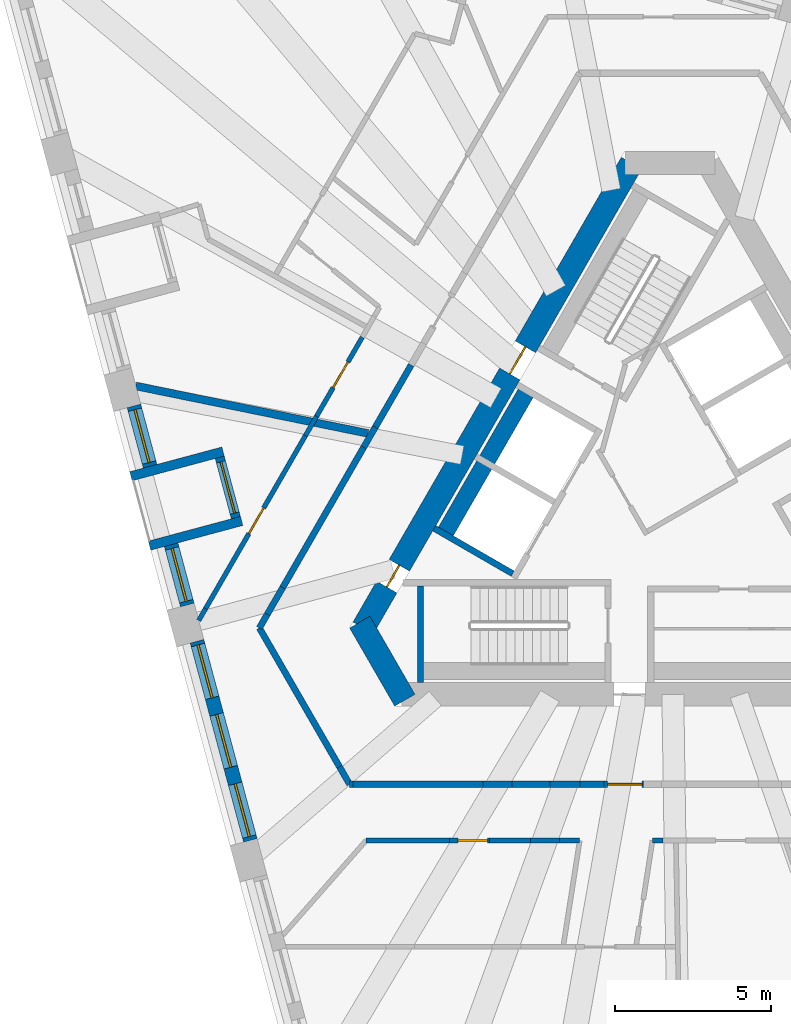
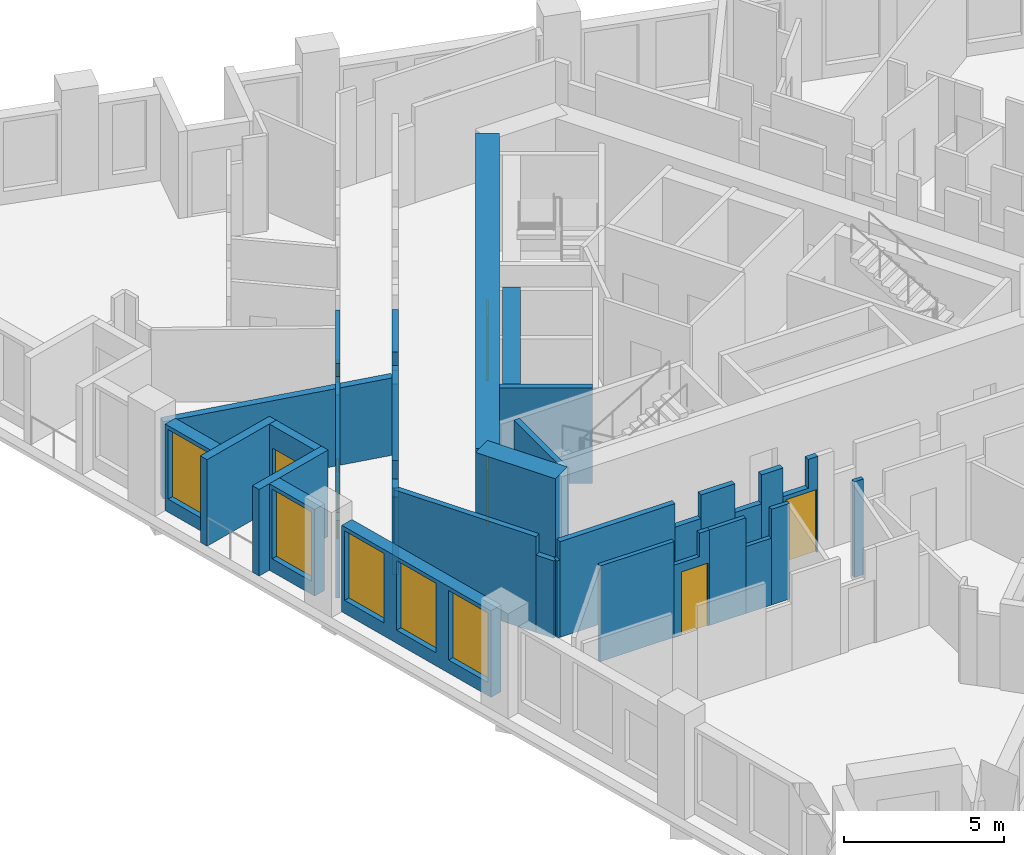
# One storey, part 3 of 13: 36 walls, 7 doors, 5 windows, 12 openings.
"""IFC4 building model written with IfcOpenShell, lengths in metres."""

from ifc_helpers import new_model, si_unit, direction, frame, frame_2d, origin, place, context, subcontext, project, spatial, polyline, rectangle, outline, extrude, material, layer, layer_set, type_object, element, fill, save


model = new_model("IFC4")

# Units and contexts
model_context = context("Model", 3, precision=1e-05, world=origin(), true_north=direction((0.0, 1.0)))
body_context = subcontext(model_context, "Body", "Model", "MODEL_VIEW")
ifc_project = project(units=[si_unit("LENGTHUNIT", "METRE"), si_unit("AREAUNIT", "SQUARE_METRE"), si_unit("VOLUMEUNIT", "CUBIC_METRE"), si_unit("PLANEANGLEUNIT", "RADIAN"), si_unit("MASSUNIT", "GRAM", prefix="KILO")], contexts=[model_context])

# Site, building, storey
site_placement = place(None, origin())
site = spatial("IfcSite", under=ifc_project, at=site_placement, CompositionType="ELEMENT")
building_placement = place(site_placement, origin())
building = spatial("IfcBuilding", under=site, at=building_placement, Name="Tramontana Tower", CompositionType="ELEMENT")
storey_placement = place(building_placement, frame((0.0, 0.0, 228.0)))
storey = spatial("IfcBuildingStorey", under=building, at=storey_placement, Name="L53", CompositionType="ELEMENT", Elevation=228.0)

# Wall, openings, doors
ifc_material_1 = material(Name="Concrete 70 MPa", Category="concrete")
ifc_layer_1 = layer(ifc_material_1, 0.75)
ifc_layer_set_1 = layer_set([ifc_layer_1], Name="Core wall 750 70 MPa")
wall_type_1 = type_object("IfcWallType", Name="Core wall 750 70 MPa", PredefinedType="SHEAR", material=ifc_layer_set_1)
wall_1_placement = place(storey_placement, frame((-1.226806640625, 10.625, 0.0), z_axis=(0.0, 0.0, 1.0), x_axis=(-0.500002161919, -0.866024155596, 0.0)))
wall_1 = element("IfcWall", 1, at=wall_1_placement, inside=storey, type_object=wall_type_1, Name="Core wall C1 L53", PredefinedType="SHEAR", context=body_context, shape_type="SweptSolid", body=[
    extrude(rectangle(XDim=17.17626953125, YDim=0.75, at=frame_2d((8.588134765625, 0.0))), origin(), (0.0, 0.0, 1.0), 4.0),
])
opening_1_placement = place(wall_1_placement, frame((6.79296875, 0.0, 0.0)))
opening_1 = element("IfcOpeningElement", 2, at=opening_1_placement, cuts=wall_1, Name="Opening RG1", PredefinedType="OPENING", context=body_context, shape_type="SweptSolid", body=[
    extrude(rectangle(XDim=1.0, YDim=2.39990234375, at=frame_2d((0.5, 1.199951171875))), frame((0.0, 0.385009765625, 0.0), z_axis=(0.0, -1.0, 0.0), x_axis=(1.0, 0.0, 0.0)), (0.0, 0.0, 1.0), 0.77001953125),
])
opening_2_placement = place(wall_1_placement, frame((14.863525390625, 0.0, 0.0)))
opening_2 = element("IfcOpeningElement", 3, at=opening_2_placement, cuts=wall_1, Name="Opening PD1", PredefinedType="OPENING", context=body_context, shape_type="SweptSolid", body=[
    extrude(rectangle(XDim=0.800048828125, YDim=2.10009765625, at=frame_2d((0.39990234375, 1.050048828125))), frame((0.0, 0.385009765625, 0.0), z_axis=(0.0, -1.0, 0.0), x_axis=(1.0, 0.0, 0.0)), (0.0, 0.0, 1.0), 0.77001953125),
])
ifc_material_2 = material(Name="Painted steel", Category="steel")
door_type_1 = type_object("IfcDoorType", Name="CUPBOARD DOOR 800", OperationType="SINGLE_SWING_LEFT", PredefinedType="DOOR", material=ifc_material_2)
door_1_placement = place(opening_2_placement, origin())
door_1 = element("IfcDoor", 4, at=door_1_placement, inside=storey, type_object=door_type_1, Name="Door PD1", OperationType="SINGLE_SWING_LEFT", OverallHeight=2.10009765625, OverallWidth=0.800048828125, PredefinedType="DOOR", context=body_context, shape_type="SweptSolid", body=[
    extrude(rectangle(XDim=0.800048828125, YDim=2.10009765625, at=frame_2d((0.39990234375, 1.050048828125))), frame((0.0, 0.02490234375, 0.0), z_axis=(0.0, -1.0, 0.0), x_axis=(1.0, 0.0, 0.0)), (0.0, 0.0, 1.0), 0.050048828125),
])
fill(opening_2, door_1)
ifc_material_3 = material(Name="Painted steel", Category="steel")
door_type_2 = type_object("IfcDoorType", Name="RING DOOR 1000", OperationType="SINGLE_SWING_LEFT", PredefinedType="DOOR", material=ifc_material_3)
door_2_placement = place(opening_1_placement, origin())
door_2 = element("IfcDoor", 5, at=door_2_placement, inside=storey, type_object=door_type_2, Name="Door RG1", OperationType="SINGLE_SWING_RIGHT", OverallHeight=2.39990234375, OverallWidth=1.0, PredefinedType="DOOR", context=body_context, shape_type="SweptSolid", body=[
    extrude(rectangle(XDim=1.0, YDim=2.39990234375, at=frame_2d((0.5, 1.199951171875))), frame((0.0, 0.02490234375, 0.0), z_axis=(0.0, -1.0, 0.0), x_axis=(1.0, 0.0, 0.0)), (0.0, 0.0, 1.0), 0.050048828125),
])
fill(opening_1, door_2)

# Wall
wall_2_placement = place(storey_placement, frame((-9.923095703125, -4.0625, 0.0), z_axis=(0.0, 0.0, 1.0), x_axis=(0.499995765644, -0.866027848477, 0.0)))
element("IfcWall", 6, at=wall_2_placement, inside=storey, type_object=wall_type_1, Name="Core wall C2 L53", PredefinedType="SHEAR", context=body_context, shape_type="SweptSolid", body=[
    extrude(rectangle(XDim=2.88671875, YDim=0.75, at=frame_2d((1.443359375, 0.0))), origin(), (0.0, 0.0, 1.0), 4.0),
])

# Wall, opening, door
ifc_material_4 = material(Name="Blockwork", Category="masonry")
ifc_layer_2 = layer(ifc_material_4, 0.199951171875)
ifc_layer_set_2 = layer_set([ifc_layer_2], Name="ENTRY WALL 200")
wall_type_2 = type_object("IfcWallType", Name="ENTRY WALL 200", PredefinedType="SOLIDWALL", material=ifc_layer_set_2)
wall_3_placement = place(storey_placement, frame((-2.102783203125, -9.25, 0.0), z_axis=(0.0, 0.0, 1.0), x_axis=(1.0, 0.0, 0.0)))
wall_3 = element("IfcWall", 7, at=wall_3_placement, inside=storey, type_object=wall_type_2, Name="Wall v52-ew2-7", PredefinedType="SOLIDWALL", context=body_context, shape_type="SweptSolid", body=[
    extrude(outline(polyline([(0.0, 0.0), (1.261474609375, 0.0), (1.261474609375, 3.64990234375), (0.9140625, 3.64990234375), (0.9140625, 2.550048828125), (0.0, 2.550048828125), (0.0, 0.0)])), frame((0.0, 0.10009765625, 0.0), z_axis=(0.0, -1.0, 0.0), x_axis=(1.0, 0.0, 0.0)), (0.0, 0.0, 1.0), 0.199951171875),
])
opening_3_placement = place(wall_3_placement, frame((0.111572265625, 0.0, 0.0)))
opening_3 = element("IfcOpeningElement", 8, at=opening_3_placement, cuts=wall_3, Name="Opening B5C-18", PredefinedType="OPENING", context=body_context, shape_type="SweptSolid", body=[
    extrude(rectangle(XDim=1.10009765625, YDim=2.39990234375, at=frame_2d((0.550048828125, 1.199951171875))), frame((0.0, 0.10986328125, 0.0), z_axis=(0.0, -1.0, 0.0), x_axis=(1.0, 0.0, 0.0)), (0.0, 0.0, 1.0), 0.219970703125),
])
ifc_material_5 = material(Name="Painted timber", Category="wood")
door_type_3 = type_object("IfcDoorType", Name="DOOR ENTRY 1100", OperationType="SINGLE_SWING_LEFT", PredefinedType="DOOR", material=ifc_material_5)
door_3_placement = place(opening_3_placement, origin())
door_3 = element("IfcDoor", 9, at=door_3_placement, inside=storey, type_object=door_type_3, Name="Door B5C-18", OperationType="SINGLE_SWING_RIGHT", OverallHeight=2.39990234375, OverallWidth=1.10009765625, PredefinedType="DOOR", context=body_context, shape_type="SweptSolid", body=[
    extrude(rectangle(XDim=1.10009765625, YDim=2.39990234375, at=frame_2d((0.550048828125, 1.199951171875))), frame((0.0, 0.02490234375, 0.0), z_axis=(0.0, -1.0, 0.0), x_axis=(1.0, 0.0, 0.0)), (0.0, 0.0, 1.0), 0.050048828125),
])
fill(opening_3, door_3)

# Walls
wall_4_placement = place(storey_placement, frame((-2.102783203125, -9.25, 0.0), z_axis=(0.0, 0.0, 1.0), x_axis=(-1.0, 0.0, 0.0)))
element("IfcWall", 10, at=wall_4_placement, inside=storey, type_object=wall_type_2, Name="Wall v52-ew2-8", PredefinedType="SOLIDWALL", context=body_context, shape_type="SweptSolid", body=[
    extrude(rectangle(XDim=0.76904296875, YDim=0.199951171875, at=frame_2d((0.384521484375, 0.0))), origin(), (0.0, 0.0, 1.0), 3.64990234375),
])
wall_5_placement = place(storey_placement, frame((-2.871826171875, -9.25, 0.0), z_axis=(0.0, 0.0, 1.0), x_axis=(-1.0, 0.0, 0.0)))
element("IfcWall", 11, at=wall_5_placement, inside=storey, type_object=wall_type_2, Name="Wall v52-ew2-9", PredefinedType="SOLIDWALL", context=body_context, shape_type="SweptSolid", body=[
    extrude(rectangle(XDim=0.957275390625, YDim=0.199951171875, at=frame_2d((0.478515625, 0.0))), origin(), (0.0, 0.0, 1.0), 2.550048828125),
])
wall_6_placement = place(storey_placement, frame((-3.8291015625, -9.25, 0.0), z_axis=(0.0, 0.0, 1.0), x_axis=(-1.0, 0.0, 0.0)))
element("IfcWall", 12, at=wall_6_placement, inside=storey, type_object=wall_type_2, Name="Wall v52-ew2-10", PredefinedType="SOLIDWALL", context=body_context, shape_type="SweptSolid", body=[
    extrude(rectangle(XDim=1.22705078125, YDim=0.199951171875, at=frame_2d((0.613525390625, 0.0))), origin(), (0.0, 0.0, 1.0), 3.64990234375),
])
wall_7_placement = place(storey_placement, frame((-5.05615234375, -9.25, 0.0), z_axis=(0.0, 0.0, 1.0), x_axis=(-1.0, 0.0, 0.0)))
element("IfcWall", 13, at=wall_7_placement, inside=storey, type_object=wall_type_2, Name="Wall v52-ew2-11", PredefinedType="SOLIDWALL", context=body_context, shape_type="SweptSolid", body=[
    extrude(rectangle(XDim=0.931640625, YDim=0.199951171875, at=frame_2d((0.4658203125, 0.0))), origin(), (0.0, 0.0, 1.0), 2.75),
])
wall_8_placement = place(storey_placement, frame((-5.98779296875, -9.25, 0.0), z_axis=(0.0, 0.0, 1.0), x_axis=(-1.0, 0.0, 0.0)))
element("IfcWall", 14, at=wall_8_placement, inside=storey, type_object=wall_type_2, Name="Wall v52-ew2-12", PredefinedType="SOLIDWALL", context=body_context, shape_type="SweptSolid", body=[
    extrude(rectangle(XDim=4.1552734375, YDim=0.199951171875, at=frame_2d((2.07763671875, 0.0))), origin(), (0.0, 0.0, 1.0), 3.64990234375),
])
wall_9_placement = place(storey_placement, frame((-10.14306640625, -9.25, 0.0), z_axis=(0.0, 0.0, 1.0), x_axis=(-1.0, 0.0, 0.0)))
element("IfcWall", 15, at=wall_9_placement, inside=storey, type_object=wall_type_2, Name="Wall v52-ew2-13", PredefinedType="SOLIDWALL", context=body_context, shape_type="SweptSolid", body=[
    extrude(rectangle(XDim=0.10498046875, YDim=0.199951171875, at=frame_2d((0.052490234375, 0.0))), origin(), (0.0, 0.0, 1.0), 2.949951171875),
])
wall_10_placement = place(storey_placement, frame((-10.248046875, -9.25, 0.0), z_axis=(0.0, 0.0, 1.0), x_axis=(-0.499733411443, 0.86617926406, 0.0)))
element("IfcWall", 16, at=wall_10_placement, inside=storey, type_object=wall_type_2, Name="Wall v52-ew3-0", PredefinedType="SOLIDWALL", context=body_context, shape_type="SweptSolid", body=[
    extrude(rectangle(XDim=0.642822265625, YDim=0.199951171875, at=frame_2d((0.3212890625, 0.0))), origin(), (0.0, 0.0, 1.0), 2.949951171875),
])
wall_11_placement = place(storey_placement, frame((-10.5693359375, -8.693115234375, 0.0), z_axis=(0.0, 0.0, 1.0), x_axis=(-0.500028638513, 0.8660088687, 0.0)))
element("IfcWall", 17, at=wall_11_placement, inside=storey, type_object=wall_type_2, Name="Wall v52-ew3-1", PredefinedType="SOLIDWALL", context=body_context, shape_type="SweptSolid", body=[
    extrude(rectangle(XDim=5.130615234375, YDim=0.199951171875, at=frame_2d((2.5654296875, 0.0))), origin(), (0.0, 0.0, 1.0), 3.64990234375),
])
wall_12_placement = place(storey_placement, frame((-13.134765625, -4.25, 0.0), z_axis=(0.0, 0.0, 1.0), x_axis=(0.500002592159, 0.866023907196, 0.0)))
element("IfcWall", 18, at=wall_12_placement, inside=storey, type_object=wall_type_2, Name="Wall v52-ew4-0", PredefinedType="SOLIDWALL", context=body_context, shape_type="SweptSolid", body=[
    extrude(rectangle(XDim=0.5029296875, YDim=0.199951171875, at=frame_2d((0.25146484375, 0.0))), origin(), (0.0, 0.0, 1.0), 3.64990234375),
])
wall_13_placement = place(storey_placement, frame((-12.88330078125, -3.814453125, 0.0), z_axis=(0.0, 0.0, 1.0), x_axis=(0.500063959222, 0.865988473761, 0.0)))
element("IfcWall", 19, at=wall_13_placement, inside=storey, type_object=wall_type_2, Name="Wall v52-ew4-1", PredefinedType="SOLIDWALL", context=body_context, shape_type="SweptSolid", body=[
    extrude(rectangle(XDim=0.989990234375, YDim=0.199951171875, at=frame_2d((0.4951171875, 0.0))), origin(), (0.0, 0.0, 1.0), 2.949951171875),
])
wall_14_placement = place(storey_placement, frame((-12.38818359375, -2.95703125, 0.0), z_axis=(0.0, 0.0, 1.0), x_axis=(0.499990271856, 0.866031020258, 0.0)))
element("IfcWall", 20, at=wall_14_placement, inside=storey, type_object=wall_type_2, Name="Wall v52-ew4-2", PredefinedType="SOLIDWALL", context=body_context, shape_type="SweptSolid", body=[
    extrude(rectangle(XDim=5.181640625, YDim=0.199951171875, at=frame_2d((2.5908203125, 0.0))), origin(), (0.0, 0.0, 1.0), 3.64990234375),
])
wall_15_placement = place(storey_placement, frame((-9.79736328125, 1.530517578125, 0.0), z_axis=(0.0, 0.0, 1.0), x_axis=(0.499931655587, 0.866064858854, 0.0)))
element("IfcWall", 21, at=wall_15_placement, inside=storey, type_object=wall_type_2, Name="Wall v52-ew4-3", PredefinedType="SOLIDWALL", context=body_context, shape_type="SweptSolid", body=[
    extrude(rectangle(XDim=0.74072265625, YDim=0.199951171875, at=frame_2d((0.370361328125, 0.0))), origin(), (0.0, 0.0, 1.0), 2.949951171875),
])
wall_16_placement = place(storey_placement, frame((-9.427001953125, 2.172119140625, 0.0), z_axis=(0.0, 0.0, 1.0), x_axis=(0.500013761451, 0.866017458461, 0.0)))
element("IfcWall", 22, at=wall_16_placement, inside=storey, type_object=wall_type_2, Name="Wall v52-ew4-4", PredefinedType="SOLIDWALL", context=body_context, shape_type="SweptSolid", body=[
    extrude(rectangle(XDim=2.29736328125, YDim=0.199951171875, at=frame_2d((1.148681640625, 0.0))), origin(), (0.0, 0.0, 1.0), 3.64990234375),
])

# Wall, opening, window
ifc_material_6 = material(Name="Precast concrete 60 MPa", Category="concrete")
ifc_layer_3 = layer(ifc_material_6, 0.449951171875)
ifc_layer_set_3 = layer_set([ifc_layer_3], Name="Precast concrete 60 MPa, 450 mm")
wall_type_3 = type_object("IfcWallType", Name="EW1 Stone-faced precast wall 450", PredefinedType="SOLIDWALL", material=ifc_layer_set_3)
wall_17_placement = place(storey_placement, frame((-17.147705078125, 2.853271484375, 0.0), z_axis=(0.0, 0.0, 1.0), x_axis=(0.258803270362, -0.96593005298, 0.0)))
wall_17 = element("IfcWall", 23, at=wall_17_placement, inside=storey, type_object=wall_type_3, Name="External wall L53 face 0 bay 3", PredefinedType="SOLIDWALL", context=body_context, shape_type="SweptSolid", body=[
    extrude(rectangle(XDim=1.998046875, YDim=0.449951171875, at=frame_2d((0.9990234375, 0.0))), origin(), (0.0, 0.0, 1.0), 3.300048828125),
])
opening_4_placement = place(wall_17_placement, frame((0.1240234375, 0.0, 0.5)))
opening_4 = element("IfcOpeningElement", 24, at=opening_4_placement, cuts=wall_17, Name="Opening M2", PredefinedType="OPENING", context=body_context, shape_type="SweptSolid", body=[
    extrude(rectangle(XDim=1.75, YDim=2.64990234375, at=frame_2d((0.875, 1.324951171875))), frame((0.0, 0.23486328125, 0.0), z_axis=(0.0, -1.0, 0.0), x_axis=(1.0, 0.0, 0.0)), (0.0, 0.0, 1.0), 0.469970703125),
])
ifc_material_7 = material(Name="Aluminum frame, double glazing unit", Category="aluminium")
window_type = type_object("IfcWindowType", Name="M2 Window 1.75 x 2.65", PartitioningType="SINGLE_PANEL", PredefinedType="WINDOW", material=ifc_material_7)
window_1_placement = place(opening_4_placement, origin())
window_1 = element("IfcWindow", 25, at=window_1_placement, inside=storey, type_object=window_type, Name="Window M2 L53 face 0 module 7", OverallHeight=2.64990234375, OverallWidth=1.75, PartitioningType="SINGLE_PANEL", PredefinedType="WINDOW", context=body_context, shape_type="SweptSolid", body=[
    extrude(rectangle(XDim=1.75, YDim=2.64990234375, at=frame_2d((0.875, 1.324951171875))), frame((0.0, 0.030029296875, 0.0), z_axis=(0.0, -1.0, 0.0), x_axis=(1.0, 0.0, 0.0)), (0.0, 0.0, 1.0), 0.06005859375),
])
fill(opening_4, window_1)

wall_18_placement = place(storey_placement, frame((-15.958251953125, -1.586181640625, 0.0), z_axis=(0.0, 0.0, 1.0), x_axis=(0.258772727493, -0.965938235865, 0.0)))
wall_18 = element("IfcWall", 26, at=wall_18_placement, inside=storey, type_object=wall_type_3, Name="External wall L53 face 0 bay 3", PredefinedType="SOLIDWALL", context=body_context, shape_type="SweptSolid", body=[
    extrude(rectangle(XDim=1.998291015625, YDim=0.449951171875, at=frame_2d((0.9990234375, 0.0))), origin(), (0.0, 0.0, 1.0), 3.300048828125),
])
opening_5_placement = place(wall_18_placement, frame((0.1240234375, 0.0, 0.5)))
opening_5 = element("IfcOpeningElement", 27, at=opening_5_placement, cuts=wall_18, Name="Opening M2", PredefinedType="OPENING", context=body_context, shape_type="SweptSolid", body=[
    extrude(rectangle(XDim=1.75, YDim=2.64990234375, at=frame_2d((0.875, 1.324951171875))), frame((0.0, 0.23486328125, 0.0), z_axis=(0.0, -1.0, 0.0), x_axis=(1.0, 0.0, 0.0)), (0.0, 0.0, 1.0), 0.469970703125),
])
window_2_placement = place(opening_5_placement, origin())
window_2 = element("IfcWindow", 28, at=window_2_placement, inside=storey, type_object=window_type, Name="Window M2 L53 face 0 module 9", OverallHeight=2.64990234375, OverallWidth=1.75, PartitioningType="SINGLE_PANEL", PredefinedType="WINDOW", context=body_context, shape_type="SweptSolid", body=[
    extrude(rectangle(XDim=1.75, YDim=2.64990234375, at=frame_2d((0.875, 1.324951171875))), frame((0.0, 0.030029296875, 0.0), z_axis=(0.0, -1.0, 0.0), x_axis=(1.0, 0.0, 0.0)), (0.0, 0.0, 1.0), 0.06005859375),
])
fill(opening_5, window_2)

# Wall, openings, windows
wall_19_placement = place(storey_placement, frame((-15.13037109375, -4.67529296875, 0.0), z_axis=(0.0, 0.0, 1.0), x_axis=(0.258791602952, -0.965933178973, 0.0)))
wall_19 = element("IfcWall", 29, at=wall_19_placement, inside=storey, type_object=wall_type_3, Name="External wall L53 face 0 bay 4", PredefinedType="SOLIDWALL", context=body_context, shape_type="SweptSolid", body=[
    extrude(rectangle(XDim=6.59423828125, YDim=0.449951171875, at=frame_2d((3.297119140625, 0.0))), origin(), (0.0, 0.0, 1.0), 3.300048828125),
])
opening_6_placement = place(wall_19_placement, frame((0.1240234375, 0.0, 0.5)))
opening_6 = element("IfcOpeningElement", 30, at=opening_6_placement, cuts=wall_19, Name="Opening M2", PredefinedType="OPENING", context=body_context, shape_type="SweptSolid", body=[
    extrude(rectangle(XDim=1.75, YDim=2.64990234375, at=frame_2d((0.875, 1.324951171875))), frame((0.0, 0.23486328125, 0.0), z_axis=(0.0, -1.0, 0.0), x_axis=(1.0, 0.0, 0.0)), (0.0, 0.0, 1.0), 0.469970703125),
])
opening_7_placement = place(wall_19_placement, frame((2.422119140625, 0.0, 0.5)))
opening_7 = element("IfcOpeningElement", 31, at=opening_7_placement, cuts=wall_19, Name="Opening M2", PredefinedType="OPENING", context=body_context, shape_type="SweptSolid", body=[
    extrude(rectangle(XDim=1.75, YDim=2.64990234375, at=frame_2d((0.875, 1.324951171875))), frame((0.0, 0.23486328125, 0.0), z_axis=(0.0, -1.0, 0.0), x_axis=(1.0, 0.0, 0.0)), (0.0, 0.0, 1.0), 0.469970703125),
])
opening_8_placement = place(wall_19_placement, frame((4.72021484375, 0.0, 0.5)))
opening_8 = element("IfcOpeningElement", 32, at=opening_8_placement, cuts=wall_19, Name="Opening M2", PredefinedType="OPENING", context=body_context, shape_type="SweptSolid", body=[
    extrude(rectangle(XDim=1.75, YDim=2.64990234375, at=frame_2d((0.875, 1.324951171875))), frame((0.0, 0.23486328125, 0.0), z_axis=(0.0, -1.0, 0.0), x_axis=(1.0, 0.0, 0.0)), (0.0, 0.0, 1.0), 0.469970703125),
])
window_3_placement = place(opening_6_placement, origin())
window_3 = element("IfcWindow", 33, at=window_3_placement, inside=storey, type_object=window_type, Name="Window M2 L53 face 0 module 10", OverallHeight=2.64990234375, OverallWidth=1.75, PartitioningType="SINGLE_PANEL", PredefinedType="WINDOW", context=body_context, shape_type="SweptSolid", body=[
    extrude(rectangle(XDim=1.75, YDim=2.64990234375, at=frame_2d((0.875, 1.324951171875))), frame((0.0, 0.030029296875, 0.0), z_axis=(0.0, -1.0, 0.0), x_axis=(1.0, 0.0, 0.0)), (0.0, 0.0, 1.0), 0.06005859375),
])
fill(opening_6, window_3)
window_4_placement = place(opening_7_placement, origin())
window_4 = element("IfcWindow", 34, at=window_4_placement, inside=storey, type_object=window_type, Name="Window M2 L53 face 0 module 11", OverallHeight=2.64990234375, OverallWidth=1.75, PartitioningType="SINGLE_PANEL", PredefinedType="WINDOW", context=body_context, shape_type="SweptSolid", body=[
    extrude(rectangle(XDim=1.75, YDim=2.64990234375, at=frame_2d((0.875, 1.324951171875))), frame((0.0, 0.030029296875, 0.0), z_axis=(0.0, -1.0, 0.0), x_axis=(1.0, 0.0, 0.0)), (0.0, 0.0, 1.0), 0.06005859375),
])
fill(opening_7, window_4)
window_5_placement = place(opening_8_placement, origin())
window_5 = element("IfcWindow", 35, at=window_5_placement, inside=storey, type_object=window_type, Name="Window M2 L53 face 0 module 12", OverallHeight=2.64990234375, OverallWidth=1.75, PartitioningType="SINGLE_PANEL", PredefinedType="WINDOW", context=body_context, shape_type="SweptSolid", body=[
    extrude(rectangle(XDim=1.75, YDim=2.64990234375, at=frame_2d((0.875, 1.324951171875))), frame((0.0, 0.030029296875, 0.0), z_axis=(0.0, -1.0, 0.0), x_axis=(1.0, 0.0, 0.0)), (0.0, 0.0, 1.0), 0.06005859375),
])
fill(opening_8, window_5)

# Wall, opening, door
ifc_material_8 = material(Name="Precast concrete 60 MPa", Category="concrete")
ifc_layer_4 = layer(ifc_material_8, 0.300048828125)
ifc_layer_set_4 = layer_set([ifc_layer_4], Name="LW1 Stone-faced loggia wall 300")
wall_type_4 = type_object("IfcWallType", Name="LW1 Stone-faced loggia wall 300", PredefinedType="SOLIDWALL", material=ifc_layer_set_4)
wall_20_placement = place(storey_placement, frame((-14.40380859375, 1.20947265625, 0.0), z_axis=(0.0, 0.0, 1.0), x_axis=(0.258772727493, -0.965938235865, 0.0)))
wall_20 = element("IfcWall", 36, at=wall_20_placement, inside=storey, type_object=wall_type_4, Name="Loggia wall L53 G5S0.7", PredefinedType="SOLIDWALL", context=body_context, shape_type="SweptSolid", body=[
    extrude(rectangle(XDim=1.998291015625, YDim=0.300048828125, at=frame_2d((0.9990234375, 0.0))), origin(), (0.0, 0.0, 1.0), 3.300048828125),
])
opening_9_placement = place(wall_20_placement, frame((0.14892578125, 0.0, 0.0)))
opening_9 = element("IfcOpeningElement", 37, at=opening_9_placement, cuts=wall_20, Name="Opening BD-5S0-07", PredefinedType="OPENING", context=body_context, shape_type="SweptSolid", body=[
    extrude(rectangle(XDim=1.699951171875, YDim=2.449951171875, at=frame_2d((0.85009765625, 1.22509765625))), frame((0.0, 0.159912109375, 0.0), z_axis=(0.0, -1.0, 0.0), x_axis=(1.0, 0.0, 0.0)), (0.0, 0.0, 1.0), 0.320068359375),
])
ifc_material_9 = material(Name="Aluminum frame, double glazing unit", Category="aluminium")
door_type_4 = type_object("IfcDoorType", Name="BD2 Sliding door 1.7 x 2.45", OperationType="SLIDING_TO_LEFT", PredefinedType="DOOR", material=ifc_material_9)
door_4_placement = place(opening_9_placement, origin())
door_4 = element("IfcDoor", 38, at=door_4_placement, inside=storey, type_object=door_type_4, Name="Loggia door L53 G5S0.7", OperationType="SLIDING_TO_LEFT", OverallHeight=2.449951171875, OverallWidth=1.699951171875, PredefinedType="DOOR", context=body_context, shape_type="SweptSolid", body=[
    extrude(rectangle(XDim=1.699951171875, YDim=2.449951171875, at=frame_2d((0.85009765625, 1.22509765625))), frame((0.0, 0.02490234375, 0.0), z_axis=(0.0, -1.0, 0.0), x_axis=(1.0, 0.0, 0.0)), (0.0, 0.0, 1.0), 0.050048828125),
])
fill(opening_9, door_4)

# Walls
for number, where, z_axis, x_axis, name in (
    (39, (-17.243896484375, 0.603759765625, 0.0), (0.0, 0.0, 1.0), (0.965932688119, 0.258793435045, 0.0), "Loggia return L53 G5S0.7a"),
    (40, (-16.64892578125, -1.615966796875, 0.0), (0.0, 0.0, 1.0), (0.965932688119, 0.258793435045, 0.0), "Loggia return L53 G5S0.7b"),
):
    element("IfcWall", number, at=place(storey_placement, frame(where, z_axis=z_axis, x_axis=x_axis)), inside=storey, type_object=wall_type_4, Name=name, PredefinedType="SOLIDWALL", context=body_context, shape_type="SweptSolid", body=[
        extrude(rectangle(XDim=3.050048828125, YDim=0.300048828125, at=frame_2d((1.52490234375, 0.0))), origin(), (0.0, 0.0, 1.0), 3.300048828125),
    ])
ifc_material_10 = material(Name="Gypsum board partition")
ifc_layer_5 = layer(ifc_material_10, 0.14990234375)
ifc_layer_set_5 = layer_set([ifc_layer_5], Name="PARTITION 150")
wall_type_5 = type_object("IfcWallType", Name="PARTITION 150", PredefinedType="PARTITIONING", material=ifc_layer_set_5)
wall_21_placement = place(storey_placement, frame((-15.075439453125, -4.011474609375, 0.0), z_axis=(0.0, 0.0, 1.0), x_axis=(0.500027377864, 0.86600959659, 0.0)))
element("IfcWall", 41, at=wall_21_placement, inside=storey, type_object=wall_type_5, Name="Wall v52-pw01-0", PredefinedType="PARTITIONING", context=body_context, shape_type="SweptSolid", body=[
    extrude(rectangle(XDim=0.43896484375, YDim=0.14990234375, at=frame_2d((0.219482421875, 0.0))), origin(), (0.0, 0.0, 1.0), 2.949951171875),
])

# Wall, opening, door
wall_22_placement = place(storey_placement, frame((-14.85595703125, -3.63134765625, 0.0), z_axis=(0.0, 0.0, 1.0), x_axis=(0.49999366119, 0.866029063467, 0.0)))
wall_22 = element("IfcWall", 42, at=wall_22_placement, inside=storey, type_object=wall_type_5, Name="Wall v52-pw01-1", PredefinedType="PARTITIONING", context=body_context, shape_type="SweptSolid", body=[
    extrude(rectangle(XDim=6.3896484375, YDim=0.14990234375, at=frame_2d((3.19482421875, 0.0))), origin(), (0.0, 0.0, 1.0), 3.64990234375),
])
opening_10_placement = place(wall_22_placement, frame((2.768798828125, 0.0, 0.0)))
opening_10 = element("IfcOpeningElement", 43, at=opening_10_placement, cuts=wall_22, Name="Opening B5C-09", PredefinedType="OPENING", context=body_context, shape_type="SweptSolid", body=[
    extrude(rectangle(XDim=0.949951171875, YDim=2.39990234375, at=frame_2d((0.47509765625, 1.199951171875))), frame((0.0, 0.0849609375, 0.0), z_axis=(0.0, -1.0, 0.0), x_axis=(1.0, 0.0, 0.0)), (0.0, 0.0, 1.0), 0.169921875),
])
ifc_material_11 = material(Name="Painted timber", Category="wood")
door_type_5 = type_object("IfcDoorType", Name="DOOR ROOM 950", OperationType="SINGLE_SWING_LEFT", PredefinedType="DOOR", material=ifc_material_11)
door_5_placement = place(opening_10_placement, origin())
door_5 = element("IfcDoor", 44, at=door_5_placement, inside=storey, type_object=door_type_5, Name="Door B5C-09", OperationType="SINGLE_SWING_LEFT", OverallHeight=2.39990234375, OverallWidth=0.949951171875, PredefinedType="DOOR", context=body_context, shape_type="SweptSolid", body=[
    extrude(rectangle(XDim=0.949951171875, YDim=2.39990234375, at=frame_2d((0.47509765625, 1.199951171875))), frame((0.0, 0.02490234375, 0.0), z_axis=(0.0, -1.0, 0.0), x_axis=(1.0, 0.0, 0.0)), (0.0, 0.0, 1.0), 0.050048828125),
])
fill(opening_10, door_5)

# Wall
wall_23_placement = place(storey_placement, frame((-11.6611328125, 1.90234375, 0.0), z_axis=(0.0, 0.0, 1.0), x_axis=(0.499998569178, 0.866026229868, 0.0)))
element("IfcWall", 45, at=wall_23_placement, inside=storey, type_object=wall_type_5, Name="Wall v52-pw01-2", PredefinedType="PARTITIONING", context=body_context, shape_type="SweptSolid", body=[
    extrude(rectangle(XDim=0.71435546875, YDim=0.14990234375, at=frame_2d((0.357177734375, 0.0))), origin(), (0.0, 0.0, 1.0), 2.949951171875),
])

# Wall, opening, door
wall_24_placement = place(storey_placement, frame((-11.303955078125, 2.52099609375, 0.0), z_axis=(0.0, 0.0, 1.0), x_axis=(0.49998782916, 0.866032430508, 0.0)))
wall_24 = element("IfcWall", 46, at=wall_24_placement, inside=storey, type_object=wall_type_5, Name="Wall v52-pw01-3", PredefinedType="PARTITIONING", context=body_context, shape_type="SweptSolid", body=[
    extrude(rectangle(XDim=2.919921875, YDim=0.14990234375, at=frame_2d((1.4599609375, 0.0))), origin(), (0.0, 0.0, 1.0), 3.64990234375),
])
opening_11_placement = place(wall_24_placement, frame((1.0556640625, 0.0, 0.0)))
opening_11 = element("IfcOpeningElement", 47, at=opening_11_placement, cuts=wall_24, Name="Opening B5C-05", PredefinedType="OPENING", context=body_context, shape_type="SweptSolid", body=[
    extrude(rectangle(XDim=0.949951171875, YDim=2.39990234375, at=frame_2d((0.47509765625, 1.199951171875))), frame((0.0, 0.0849609375, 0.0), z_axis=(0.0, -1.0, 0.0), x_axis=(1.0, 0.0, 0.0)), (0.0, 0.0, 1.0), 0.169921875),
])
door_6_placement = place(opening_11_placement, origin())
door_6 = element("IfcDoor", 48, at=door_6_placement, inside=storey, type_object=door_type_5, Name="Door B5C-05", OperationType="SINGLE_SWING_LEFT", OverallHeight=2.39990234375, OverallWidth=0.949951171875, PredefinedType="DOOR", context=body_context, shape_type="SweptSolid", body=[
    extrude(rectangle(XDim=0.949951171875, YDim=2.39990234375, at=frame_2d((0.47509765625, 1.199951171875))), frame((0.0, 0.02490234375, 0.0), z_axis=(0.0, -1.0, 0.0), x_axis=(1.0, 0.0, 0.0)), (0.0, 0.0, 1.0), 0.050048828125),
])
fill(opening_11, door_6)

# Walls
wall_25_placement = place(storey_placement, frame((-2.88916015625, -11.050048828125, 0.0), z_axis=(0.0, 0.0, 1.0), x_axis=(-1.0, 0.0, 0.0)))
element("IfcWall", 49, at=wall_25_placement, inside=storey, type_object=wall_type_5, Name="Wall v52-pw16-0", PredefinedType="PARTITIONING", context=body_context, shape_type="SweptSolid", body=[
    extrude(rectangle(XDim=0.64794921875, YDim=0.14990234375, at=frame_2d((0.323974609375, 0.0))), origin(), (0.0, 0.0, 1.0), 3.64990234375),
])
wall_26_placement = place(storey_placement, frame((-3.537109375, -11.050048828125, 0.0), z_axis=(0.0, 0.0, 1.0), x_axis=(-1.0, 0.0, 0.0)))
element("IfcWall", 50, at=wall_26_placement, inside=storey, type_object=wall_type_5, Name="Wall v52-pw16-1", PredefinedType="PARTITIONING", context=body_context, shape_type="SweptSolid", body=[
    extrude(rectangle(XDim=0.9306640625, YDim=0.14990234375, at=frame_2d((0.46533203125, 0.0))), origin(), (0.0, 0.0, 1.0), 2.550048828125),
])
wall_27_placement = place(storey_placement, frame((-4.4677734375, -11.050048828125, 0.0), z_axis=(0.0, 0.0, 1.0), x_axis=(-1.0, 0.0, 0.0)))
element("IfcWall", 51, at=wall_27_placement, inside=storey, type_object=wall_type_5, Name="Wall v52-pw16-2", PredefinedType="PARTITIONING", context=body_context, shape_type="SweptSolid", body=[
    extrude(rectangle(XDim=1.3115234375, YDim=0.14990234375, at=frame_2d((0.65576171875, 0.0))), origin(), (0.0, 0.0, 1.0), 3.64990234375),
])

# Wall, opening, door
wall_28_placement = place(storey_placement, frame((-5.779296875, -11.050048828125, 0.0), z_axis=(0.0, 0.0, 1.0), x_axis=(-1.0, 0.0, 0.0)))
wall_28 = element("IfcWall", 52, at=wall_28_placement, inside=storey, type_object=wall_type_5, Name="Wall v52-pw16-3", PredefinedType="PARTITIONING", context=body_context, shape_type="SweptSolid", body=[
    extrude(outline(polyline([(0.0, 0.0), (1.2685546875, 0.0), (1.2685546875, 2.75), (0.365966796875, 2.75), (0.365966796875, 3.64990234375), (0.0, 3.64990234375), (0.0, 0.0)])), frame((0.0, 0.074951171875, 0.0), z_axis=(0.0, -1.0, 0.0), x_axis=(1.0, 0.0, 0.0)), (0.0, 0.0, 1.0), 0.14990234375),
])
opening_12_placement = place(wall_28_placement, frame((0.050048828125, 0.0, 0.0)))
opening_12 = element("IfcOpeningElement", 53, at=opening_12_placement, cuts=wall_28, Name="Opening B5C-06", PredefinedType="OPENING", context=body_context, shape_type="SweptSolid", body=[
    extrude(rectangle(XDim=0.949951171875, YDim=2.39990234375, at=frame_2d((0.47509765625, 1.199951171875))), frame((0.0, 0.0849609375, 0.0), z_axis=(0.0, -1.0, 0.0), x_axis=(1.0, 0.0, 0.0)), (0.0, 0.0, 1.0), 0.169921875),
])
door_7_placement = place(opening_12_placement, origin())
door_7 = element("IfcDoor", 54, at=door_7_placement, inside=storey, type_object=door_type_5, Name="Door B5C-06", OperationType="SINGLE_SWING_RIGHT", OverallHeight=2.39990234375, OverallWidth=0.949951171875, PredefinedType="DOOR", context=body_context, shape_type="SweptSolid", body=[
    extrude(rectangle(XDim=0.949951171875, YDim=2.39990234375, at=frame_2d((0.47509765625, 1.199951171875))), frame((0.0, 0.02490234375, 0.0), z_axis=(0.0, -1.0, 0.0), x_axis=(1.0, 0.0, 0.0)), (0.0, 0.0, 1.0), 0.050048828125),
])
fill(opening_12, door_7)

# Walls
wall_29_placement = place(storey_placement, frame((-7.0478515625, -11.050048828125, 0.0), z_axis=(0.0, 0.0, 1.0), x_axis=(-1.0, 0.0, 0.0)))
element("IfcWall", 55, at=wall_29_placement, inside=storey, type_object=wall_type_5, Name="Wall v52-pw16-4", PredefinedType="PARTITIONING", context=body_context, shape_type="SweptSolid", body=[
    extrude(rectangle(XDim=2.671630859375, YDim=0.14990234375, at=frame_2d((1.3359375, 0.0))), origin(), (0.0, 0.0, 1.0), 3.64990234375),
])
wall_30_placement = place(storey_placement, frame((-0.226318359375, -11.050048828125, 0.0), z_axis=(0.0, 0.0, 1.0), x_axis=(-1.0, 0.0, 0.0)))
element("IfcWall", 56, at=wall_30_placement, inside=storey, type_object=wall_type_5, Name="Wall v52-pw32-5", PredefinedType="PARTITIONING", context=body_context, shape_type="SweptSolid", body=[
    extrude(rectangle(XDim=0.3291015625, YDim=0.14990234375, at=frame_2d((0.16455078125, 0.0))), origin(), (0.0, 0.0, 1.0), 3.64990234375),
])
ifc_material_12 = material(Name="Blockwork", Category="masonry")
ifc_layer_6 = layer(ifc_material_12, 0.25)
ifc_layer_set_6 = layer_set([ifc_layer_6], Name="PARTY WALL 250")
wall_type_6 = type_object("IfcWallType", Name="PARTY WALL 250", PredefinedType="SOLIDWALL", material=ifc_layer_set_6)
wall_31_placement = place(storey_placement, frame((-9.6572265625, 1.97314453125, 0.0), z_axis=(0.0, 0.0, 1.0), x_axis=(-0.979757295935, 0.200189013338, 0.0)))
element("IfcWall", 57, at=wall_31_placement, inside=storey, type_object=wall_type_6, Name="Wall v52-pw08-0", PredefinedType="SOLIDWALL", context=body_context, shape_type="SweptSolid", body=[
    extrude(rectangle(XDim=7.58203125, YDim=0.25, at=frame_2d((3.791015625, 0.0))), origin(), (0.0, 0.0, 1.0), 2.949951171875),
])
ifc_material_13 = material(Name="Concrete 70 MPa", Category="concrete")
ifc_layer_7 = layer(ifc_material_13, 0.550048828125)
ifc_layer_set_7 = layer_set([ifc_layer_7], Name="Concrete 70 MPa, 550 mm")
wall_type_7 = type_object("IfcWallType", Name="RC SHAFT BACK WALL 550", PredefinedType="SOLIDWALL", material=ifc_layer_set_7)
wall_32_placement = place(storey_placement, frame((-4.516357421875, 3.427490234375, 0.0), z_axis=(0.0, 0.0, 1.0), x_axis=(-0.499996545922, -0.866027397988, 0.0)))
element("IfcWall", 58, at=wall_32_placement, inside=storey, type_object=wall_type_7, Name="Wall row0-back", PredefinedType="SOLIDWALL", context=body_context, shape_type="SweptSolid", body=[
    extrude(rectangle(XDim=5.5, YDim=0.550048828125, at=frame_2d((2.75, 0.0))), origin(), (0.0, 0.0, 1.0), 3.64990234375),
])
ifc_material_14 = material(Name="Concrete 70 MPa", Category="concrete")
ifc_layer_8 = layer(ifc_material_14, 0.199951171875)
ifc_layer_set_8 = layer_set([ifc_layer_8], Name="Concrete 70 MPa, 200 mm")
wall_type_8 = type_object("IfcWallType", Name="RC STAIR AND SHAFT WALL 200", PredefinedType="SOLIDWALL", material=ifc_layer_set_8)
wall_33_placement = place(storey_placement, frame((-7.97998046875, -2.89990234375, 0.0), z_axis=(0.0, 0.0, 1.0), x_axis=(0.0, -1.0, 0.0)))
element("IfcWall", 59, at=wall_33_placement, inside=storey, type_object=wall_type_8, Name="Wall st2-far", PredefinedType="SOLIDWALL", context=body_context, shape_type="SweptSolid", body=[
    extrude(rectangle(XDim=3.10009765625, YDim=0.199951171875, at=frame_2d((1.550048828125, 0.0))), origin(), (0.0, 0.0, 1.0), 3.64990234375),
])
wall_34_placement = place(storey_placement, frame((-5.02978515625, -2.51171875, 0.0), z_axis=(0.0, 0.0, 1.0), x_axis=(-0.866032775405, 0.499987231761, 0.0)))
element("IfcWall", 60, at=wall_34_placement, inside=storey, type_object=wall_type_8, Name="Wall row0-side2", PredefinedType="SOLIDWALL", context=body_context, shape_type="SweptSolid", body=[
    extrude(rectangle(XDim=2.89990234375, YDim=0.199951171875, at=frame_2d((1.449951171875, 0.0))), origin(), (0.0, 0.0, 1.0), 3.64990234375),
])

save(model, "model.ifc")
